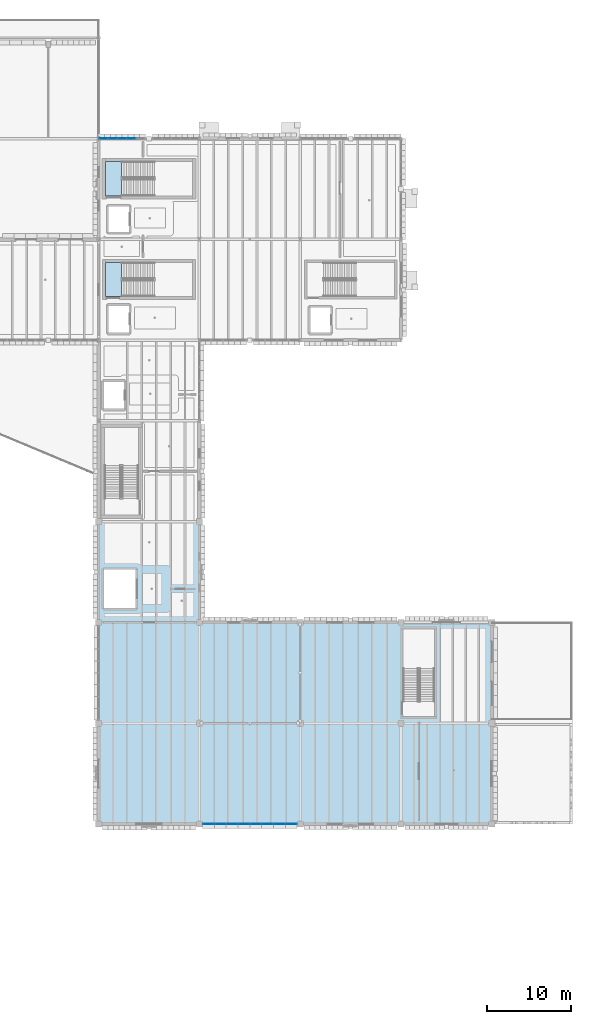
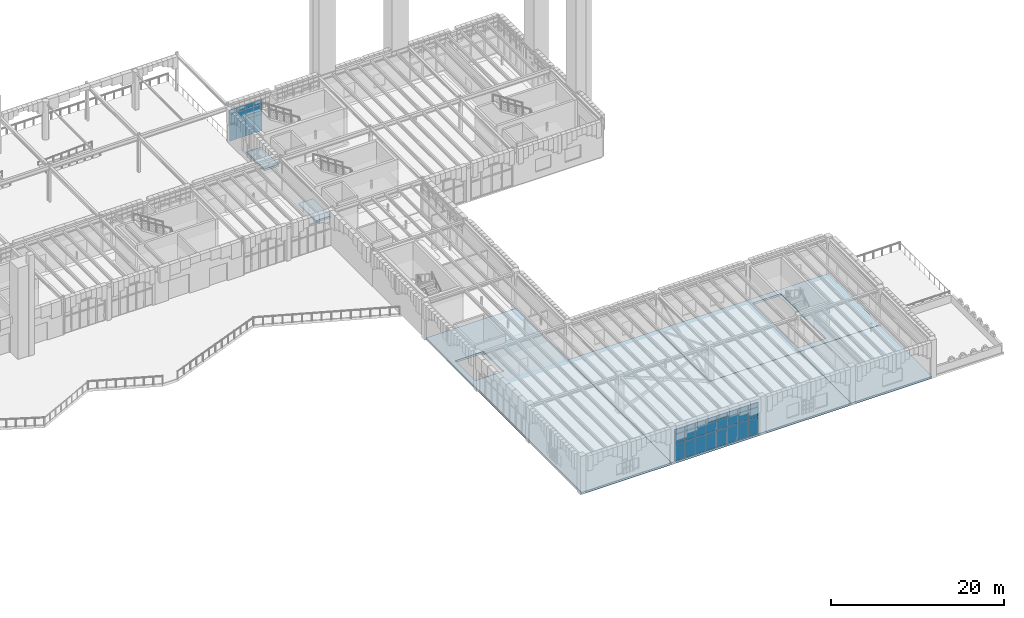
# One storey, part 47 of 103: 36 plates, 6 slabs, 2 elements without a shape of their own.
"""IFC4 building model written with IfcOpenShell, lengths in metres."""

from ifc_helpers import new_model, si_unit, direction, frame, origin, origin_2d, place, context, subcontext, project, spatial, polyline, rectangle, outline, extrude, material, layer, layer_set, type_object, element, aggregate, save


model = new_model("IFC4")

# Units and contexts
model_context = context("Model", 3, precision=1e-05, world=origin(), true_north=direction((0.0, 1.0)))
body_context = subcontext(model_context, "Body", "Model", "MODEL_VIEW")
ifc_project = project(units=[si_unit("LENGTHUNIT", "METRE"), si_unit("AREAUNIT", "SQUARE_METRE"), si_unit("VOLUMEUNIT", "CUBIC_METRE"), si_unit("PLANEANGLEUNIT", "RADIAN"), si_unit("MASSUNIT", "GRAM", prefix="KILO")], contexts=[model_context])

# Site, building, storey
site_placement = place(None, origin())
site = spatial("IfcSite", under=ifc_project, at=site_placement, CompositionType="ELEMENT")
building_placement = place(site_placement, origin())
building = spatial("IfcBuilding", under=site, at=building_placement, Name="Zlatogorsky Bluff Art Gallery", CompositionType="ELEMENT")
storey_placement = place(building_placement, origin())
storey = spatial("IfcBuildingStorey", under=building, at=storey_placement, Name="L00", CompositionType="ELEMENT", Elevation=0.0)

# Curtain wall, plates
ifc_material_1 = material(Name="Anodised Bronze Aluminium and Low-Iron Triple Glazing", Category="aluminium")
ifc_layer_1 = layer(ifc_material_1, 0.179931640625)
ifc_layer_set_1 = layer_set([ifc_layer_1], Name="Curtain Wall CW-03")
curtain_wall_type_1 = type_object("IfcCurtainWallType", Name="Curtain Wall CW-03", PredefinedType="USERDEFINED", material=ifc_layer_set_1)
curtain_wall_1_placement = place(storey_placement, origin())
curtain_wall_1 = element("IfcCurtainWall", 1, at=curtain_wall_1_placement, inside=storey, type_object=curtain_wall_type_1, Name="Unitised curtain wall CW-03 L00 N 10.9-B", ObjectType="CURTAIN WALL", PredefinedType="USERDEFINED")
ifc_material_2 = material(Name="Low-Iron Laminated Triple Glazing", Category="glass")
ifc_layer_2 = layer(ifc_material_2, 0.035888671875)
ifc_layer_set_2 = layer_set([ifc_layer_2], Name="Glazed Curtain Panel CWP-01")
plate_type = type_object("IfcPlateType", Name="Glazed Curtain Panel CWP-01", PredefinedType="CURTAIN_PANEL", material=ifc_layer_set_2)
plate_1_placement = place(storey_placement, frame((123.906005859375, 108.0, 0.06494140625), z_axis=(0.0, 0.0, 1.0), x_axis=(-1.0, 0.0, 0.0)))
plate_1 = element("IfcPlate", 2, at=plate_1_placement, type_object=plate_type, Name="CW-03 panel 2.1", PredefinedType="CURTAIN_PANEL", context=body_context, shape_type="SweptSolid", body=[
    extrude(rectangle(XDim=1.051025390625, YDim=0.035888671875, at=origin_2d()), origin(), (0.0, 0.0, 1.0), 2.3525390625),
])
plate_2_placement = place(storey_placement, frame((123.906005859375, 108.0, 2.482421875), z_axis=(0.0, 0.0, 1.0), x_axis=(-1.0, 0.0, 0.0)))
plate_2 = element("IfcPlate", 3, at=plate_2_placement, type_object=plate_type, Name="CW-03 panel 2.2", PredefinedType="CURTAIN_PANEL", context=body_context, shape_type="SweptSolid", body=[
    extrude(rectangle(XDim=1.051025390625, YDim=0.035888671875, at=origin_2d()), origin(), (0.0, 0.0, 1.0), 1.3349609375),
])
plate_3_placement = place(storey_placement, frame((123.906005859375, 108.0, 3.88232421875), z_axis=(0.0, 0.0, 1.0), x_axis=(-1.0, 0.0, 0.0)))
plate_3 = element("IfcPlate", 4, at=plate_3_placement, type_object=plate_type, Name="CW-03 panel 2.3", PredefinedType="CURTAIN_PANEL", context=body_context, shape_type="SweptSolid", body=[
    extrude(rectangle(XDim=1.051025390625, YDim=0.035888671875, at=origin_2d()), origin(), (0.0, 0.0, 1.0), 0.612548828125),
])
plate_4_placement = place(storey_placement, frame((122.7900390625, 108.0, 0.06494140625), z_axis=(0.0, 0.0, 1.0), x_axis=(-1.0, 0.0, 0.0)))
plate_4 = element("IfcPlate", 5, at=plate_4_placement, type_object=plate_type, Name="CW-03 panel 3.1", PredefinedType="CURTAIN_PANEL", context=body_context, shape_type="SweptSolid", body=[
    extrude(rectangle(XDim=1.051025390625, YDim=0.035888671875, at=origin_2d()), origin(), (0.0, 0.0, 1.0), 2.3525390625),
])
plate_5_placement = place(storey_placement, frame((122.7900390625, 108.0, 2.482421875), z_axis=(0.0, 0.0, 1.0), x_axis=(-1.0, 0.0, 0.0)))
plate_5 = element("IfcPlate", 6, at=plate_5_placement, type_object=plate_type, Name="CW-03 panel 3.2", PredefinedType="CURTAIN_PANEL", context=body_context, shape_type="SweptSolid", body=[
    extrude(rectangle(XDim=1.051025390625, YDim=0.035888671875, at=origin_2d()), origin(), (0.0, 0.0, 1.0), 1.3349609375),
])
plate_6_placement = place(storey_placement, frame((122.7900390625, 108.0, 3.88232421875), z_axis=(0.0, 0.0, 1.0), x_axis=(-1.0, 0.0, 0.0)))
plate_6 = element("IfcPlate", 7, at=plate_6_placement, type_object=plate_type, Name="CW-03 panel 3.3", PredefinedType="CURTAIN_PANEL", context=body_context, shape_type="SweptSolid", body=[
    extrude(rectangle(XDim=1.051025390625, YDim=0.035888671875, at=origin_2d()), origin(), (0.0, 0.0, 1.0), 0.612548828125),
])
plate_7_placement = place(storey_placement, frame((121.674072265625, 108.0, 0.06494140625), z_axis=(0.0, 0.0, 1.0), x_axis=(-1.0, 0.0, 0.0)))
plate_7 = element("IfcPlate", 8, at=plate_7_placement, type_object=plate_type, Name="CW-03 panel 4.1", PredefinedType="CURTAIN_PANEL", context=body_context, shape_type="SweptSolid", body=[
    extrude(rectangle(XDim=1.051025390625, YDim=0.035888671875, at=origin_2d()), origin(), (0.0, 0.0, 1.0), 2.3525390625),
])
plate_8_placement = place(storey_placement, frame((121.674072265625, 108.0, 2.482421875), z_axis=(0.0, 0.0, 1.0), x_axis=(-1.0, 0.0, 0.0)))
plate_8 = element("IfcPlate", 9, at=plate_8_placement, type_object=plate_type, Name="CW-03 panel 4.2", PredefinedType="CURTAIN_PANEL", context=body_context, shape_type="SweptSolid", body=[
    extrude(rectangle(XDim=1.051025390625, YDim=0.035888671875, at=origin_2d()), origin(), (0.0, 0.0, 1.0), 1.3349609375),
])
plate_9_placement = place(storey_placement, frame((121.674072265625, 108.0, 3.88232421875), z_axis=(0.0, 0.0, 1.0), x_axis=(-1.0, 0.0, 0.0)))
plate_9 = element("IfcPlate", 10, at=plate_9_placement, type_object=plate_type, Name="CW-03 panel 4.3", PredefinedType="CURTAIN_PANEL", context=body_context, shape_type="SweptSolid", body=[
    extrude(rectangle(XDim=1.051025390625, YDim=0.035888671875, at=origin_2d()), origin(), (0.0, 0.0, 1.0), 0.612548828125),
])
plate_10_placement = place(storey_placement, frame((120.57421875, 108.0, 0.06494140625), z_axis=(0.0, 0.0, 1.0), x_axis=(-1.0, 0.0, 0.0)))
plate_10 = element("IfcPlate", 11, at=plate_10_placement, type_object=plate_type, Name="CW-03 panel 5.1", PredefinedType="CURTAIN_PANEL", context=body_context, shape_type="SweptSolid", body=[
    extrude(rectangle(XDim=1.0185546875, YDim=0.035888671875, at=origin_2d()), origin(), (0.0, 0.0, 1.0), 2.3525390625),
])
plate_11_placement = place(storey_placement, frame((120.57421875, 108.0, 2.482421875), z_axis=(0.0, 0.0, 1.0), x_axis=(-1.0, 0.0, 0.0)))
plate_11 = element("IfcPlate", 12, at=plate_11_placement, type_object=plate_type, Name="CW-03 panel 5.2", PredefinedType="CURTAIN_PANEL", context=body_context, shape_type="SweptSolid", body=[
    extrude(rectangle(XDim=1.0185546875, YDim=0.035888671875, at=origin_2d()), origin(), (0.0, 0.0, 1.0), 1.3349609375),
])
plate_12_placement = place(storey_placement, frame((120.57421875, 108.0, 3.88232421875), z_axis=(0.0, 0.0, 1.0), x_axis=(-1.0, 0.0, 0.0)))
plate_12 = element("IfcPlate", 13, at=plate_12_placement, type_object=plate_type, Name="CW-03 panel 5.3", PredefinedType="CURTAIN_PANEL", context=body_context, shape_type="SweptSolid", body=[
    extrude(rectangle(XDim=1.0185546875, YDim=0.035888671875, at=origin_2d()), origin(), (0.0, 0.0, 1.0), 0.612548828125),
])
aggregate(curtain_wall_1, [plate_1, plate_2, plate_3, plate_4, plate_5, plate_6, plate_7, plate_8, plate_9, plate_10, plate_11, plate_12])

ifc_layer_3 = layer(ifc_material_1, 0.179931640625)
ifc_layer_set_3 = layer_set([ifc_layer_3], Name="Curtain Wall CW-01")
curtain_wall_type_2 = type_object("IfcCurtainWallType", Name="Curtain Wall CW-01", PredefinedType="USERDEFINED", material=ifc_layer_set_3)
curtain_wall_2_placement = place(storey_placement, origin())
curtain_wall_2 = element("IfcCurtainWall", 14, at=curtain_wall_2_placement, inside=storey, type_object=curtain_wall_type_2, Name="Unitised curtain wall CW-01 L00 S 11.3", ObjectType="CURTAIN WALL", PredefinedType="USERDEFINED")
plate_13_placement = place(storey_placement, frame((133.090087890625, 26.39990234375, 0.06494140625), z_axis=(0.0, 0.0, 1.0), x_axis=(1.0, 0.0, 0.0)))
plate_13 = element("IfcPlate", 15, at=plate_13_placement, type_object=plate_type, Name="CW-01 panel 1.1", PredefinedType="CURTAIN_PANEL", context=body_context, shape_type="SweptSolid", body=[
    extrude(rectangle(XDim=1.31005859375, YDim=0.035888671875, at=origin_2d()), origin(), (0.0, 0.0, 1.0), 2.3525390625),
])
plate_14_placement = place(storey_placement, frame((133.090087890625, 26.39990234375, 2.482421875), z_axis=(0.0, 0.0, 1.0), x_axis=(1.0, 0.0, 0.0)))
plate_14 = element("IfcPlate", 16, at=plate_14_placement, type_object=plate_type, Name="CW-01 panel 1.2", PredefinedType="CURTAIN_PANEL", context=body_context, shape_type="SweptSolid", body=[
    extrude(rectangle(XDim=1.31005859375, YDim=0.035888671875, at=origin_2d()), origin(), (0.0, 0.0, 1.0), 1.3349609375),
])
plate_15_placement = place(storey_placement, frame((133.090087890625, 26.39990234375, 3.88232421875), z_axis=(0.0, 0.0, 1.0), x_axis=(1.0, 0.0, 0.0)))
plate_15 = element("IfcPlate", 17, at=plate_15_placement, type_object=plate_type, Name="CW-01 panel 1.3", PredefinedType="CURTAIN_PANEL", context=body_context, shape_type="SweptSolid", body=[
    extrude(rectangle(XDim=1.31005859375, YDim=0.035888671875, at=origin_2d()), origin(), (0.0, 0.0, 1.0), 0.612548828125),
])
plate_16_placement = place(storey_placement, frame((134.481201171875, 26.39990234375, 0.06494140625), z_axis=(0.0, 0.0, 1.0), x_axis=(1.0, 0.0, 0.0)))
plate_16 = element("IfcPlate", 18, at=plate_16_placement, type_object=plate_type, Name="CW-01 panel 2.1", PredefinedType="CURTAIN_PANEL", context=body_context, shape_type="SweptSolid", body=[
    extrude(rectangle(XDim=1.342529296875, YDim=0.035888671875, at=origin_2d()), origin(), (0.0, 0.0, 1.0), 2.3525390625),
])
plate_17_placement = place(storey_placement, frame((134.481201171875, 26.39990234375, 2.482421875), z_axis=(0.0, 0.0, 1.0), x_axis=(1.0, 0.0, 0.0)))
plate_17 = element("IfcPlate", 19, at=plate_17_placement, type_object=plate_type, Name="CW-01 panel 2.2", PredefinedType="CURTAIN_PANEL", context=body_context, shape_type="SweptSolid", body=[
    extrude(rectangle(XDim=1.342529296875, YDim=0.035888671875, at=origin_2d()), origin(), (0.0, 0.0, 1.0), 1.3349609375),
])
plate_18_placement = place(storey_placement, frame((134.481201171875, 26.39990234375, 3.88232421875), z_axis=(0.0, 0.0, 1.0), x_axis=(1.0, 0.0, 0.0)))
plate_18 = element("IfcPlate", 20, at=plate_18_placement, type_object=plate_type, Name="CW-01 panel 2.3", PredefinedType="CURTAIN_PANEL", context=body_context, shape_type="SweptSolid", body=[
    extrude(rectangle(XDim=1.342529296875, YDim=0.035888671875, at=origin_2d()), origin(), (0.0, 0.0, 1.0), 0.612548828125),
])
plate_19_placement = place(storey_placement, frame((135.888671875, 26.39990234375, 0.06494140625), z_axis=(0.0, 0.0, 1.0), x_axis=(1.0, 0.0, 0.0)))
plate_19 = element("IfcPlate", 21, at=plate_19_placement, type_object=plate_type, Name="CW-01 panel 3.1", PredefinedType="CURTAIN_PANEL", context=body_context, shape_type="SweptSolid", body=[
    extrude(rectangle(XDim=1.342529296875, YDim=0.035888671875, at=origin_2d()), origin(), (0.0, 0.0, 1.0), 2.3525390625),
])
plate_20_placement = place(storey_placement, frame((135.888671875, 26.39990234375, 2.482421875), z_axis=(0.0, 0.0, 1.0), x_axis=(1.0, 0.0, 0.0)))
plate_20 = element("IfcPlate", 22, at=plate_20_placement, type_object=plate_type, Name="CW-01 panel 3.2", PredefinedType="CURTAIN_PANEL", context=body_context, shape_type="SweptSolid", body=[
    extrude(rectangle(XDim=1.342529296875, YDim=0.035888671875, at=origin_2d()), origin(), (0.0, 0.0, 1.0), 1.3349609375),
])
plate_21_placement = place(storey_placement, frame((135.888671875, 26.39990234375, 3.88232421875), z_axis=(0.0, 0.0, 1.0), x_axis=(1.0, 0.0, 0.0)))
plate_21 = element("IfcPlate", 23, at=plate_21_placement, type_object=plate_type, Name="CW-01 panel 3.3", PredefinedType="CURTAIN_PANEL", context=body_context, shape_type="SweptSolid", body=[
    extrude(rectangle(XDim=1.342529296875, YDim=0.035888671875, at=origin_2d()), origin(), (0.0, 0.0, 1.0), 0.612548828125),
])
plate_22_placement = place(storey_placement, frame((137.296142578125, 26.39990234375, 0.06494140625), z_axis=(0.0, 0.0, 1.0), x_axis=(1.0, 0.0, 0.0)))
plate_22 = element("IfcPlate", 24, at=plate_22_placement, type_object=plate_type, Name="CW-01 panel 4.1", PredefinedType="CURTAIN_PANEL", context=body_context, shape_type="SweptSolid", body=[
    extrude(rectangle(XDim=1.342529296875, YDim=0.035888671875, at=origin_2d()), origin(), (0.0, 0.0, 1.0), 2.3525390625),
])
plate_23_placement = place(storey_placement, frame((137.296142578125, 26.39990234375, 2.482421875), z_axis=(0.0, 0.0, 1.0), x_axis=(1.0, 0.0, 0.0)))
plate_23 = element("IfcPlate", 25, at=plate_23_placement, type_object=plate_type, Name="CW-01 panel 4.2", PredefinedType="CURTAIN_PANEL", context=body_context, shape_type="SweptSolid", body=[
    extrude(rectangle(XDim=1.342529296875, YDim=0.035888671875, at=origin_2d()), origin(), (0.0, 0.0, 1.0), 1.3349609375),
])
plate_24_placement = place(storey_placement, frame((137.296142578125, 26.39990234375, 3.88232421875), z_axis=(0.0, 0.0, 1.0), x_axis=(1.0, 0.0, 0.0)))
plate_24 = element("IfcPlate", 26, at=plate_24_placement, type_object=plate_type, Name="CW-01 panel 4.3", PredefinedType="CURTAIN_PANEL", context=body_context, shape_type="SweptSolid", body=[
    extrude(rectangle(XDim=1.342529296875, YDim=0.035888671875, at=origin_2d()), origin(), (0.0, 0.0, 1.0), 0.612548828125),
])
plate_25_placement = place(storey_placement, frame((138.703857421875, 26.39990234375, 0.06494140625), z_axis=(0.0, 0.0, 1.0), x_axis=(1.0, 0.0, 0.0)))
plate_25 = element("IfcPlate", 27, at=plate_25_placement, type_object=plate_type, Name="CW-01 panel 5.1", PredefinedType="CURTAIN_PANEL", context=body_context, shape_type="SweptSolid", body=[
    extrude(rectangle(XDim=1.342529296875, YDim=0.035888671875, at=origin_2d()), origin(), (0.0, 0.0, 1.0), 2.3525390625),
])
plate_26_placement = place(storey_placement, frame((138.703857421875, 26.39990234375, 2.482421875), z_axis=(0.0, 0.0, 1.0), x_axis=(1.0, 0.0, 0.0)))
plate_26 = element("IfcPlate", 28, at=plate_26_placement, type_object=plate_type, Name="CW-01 panel 5.2", PredefinedType="CURTAIN_PANEL", context=body_context, shape_type="SweptSolid", body=[
    extrude(rectangle(XDim=1.342529296875, YDim=0.035888671875, at=origin_2d()), origin(), (0.0, 0.0, 1.0), 1.3349609375),
])
plate_27_placement = place(storey_placement, frame((138.703857421875, 26.39990234375, 3.88232421875), z_axis=(0.0, 0.0, 1.0), x_axis=(1.0, 0.0, 0.0)))
plate_27 = element("IfcPlate", 29, at=plate_27_placement, type_object=plate_type, Name="CW-01 panel 5.3", PredefinedType="CURTAIN_PANEL", context=body_context, shape_type="SweptSolid", body=[
    extrude(rectangle(XDim=1.342529296875, YDim=0.035888671875, at=origin_2d()), origin(), (0.0, 0.0, 1.0), 0.612548828125),
])
plate_28_placement = place(storey_placement, frame((140.111328125, 26.39990234375, 0.06494140625), z_axis=(0.0, 0.0, 1.0), x_axis=(1.0, 0.0, 0.0)))
plate_28 = element("IfcPlate", 30, at=plate_28_placement, type_object=plate_type, Name="CW-01 panel 6.1", PredefinedType="CURTAIN_PANEL", context=body_context, shape_type="SweptSolid", body=[
    extrude(rectangle(XDim=1.342529296875, YDim=0.035888671875, at=origin_2d()), origin(), (0.0, 0.0, 1.0), 2.3525390625),
])
plate_29_placement = place(storey_placement, frame((140.111328125, 26.39990234375, 2.482421875), z_axis=(0.0, 0.0, 1.0), x_axis=(1.0, 0.0, 0.0)))
plate_29 = element("IfcPlate", 31, at=plate_29_placement, type_object=plate_type, Name="CW-01 panel 6.2", PredefinedType="CURTAIN_PANEL", context=body_context, shape_type="SweptSolid", body=[
    extrude(rectangle(XDim=1.342529296875, YDim=0.035888671875, at=origin_2d()), origin(), (0.0, 0.0, 1.0), 1.3349609375),
])
plate_30_placement = place(storey_placement, frame((140.111328125, 26.39990234375, 3.88232421875), z_axis=(0.0, 0.0, 1.0), x_axis=(1.0, 0.0, 0.0)))
plate_30 = element("IfcPlate", 32, at=plate_30_placement, type_object=plate_type, Name="CW-01 panel 6.3", PredefinedType="CURTAIN_PANEL", context=body_context, shape_type="SweptSolid", body=[
    extrude(rectangle(XDim=1.342529296875, YDim=0.035888671875, at=origin_2d()), origin(), (0.0, 0.0, 1.0), 0.612548828125),
])
plate_31_placement = place(storey_placement, frame((141.518798828125, 26.39990234375, 0.06494140625), z_axis=(0.0, 0.0, 1.0), x_axis=(1.0, 0.0, 0.0)))
plate_31 = element("IfcPlate", 33, at=plate_31_placement, type_object=plate_type, Name="CW-01 panel 7.1", PredefinedType="CURTAIN_PANEL", context=body_context, shape_type="SweptSolid", body=[
    extrude(rectangle(XDim=1.342529296875, YDim=0.035888671875, at=origin_2d()), origin(), (0.0, 0.0, 1.0), 2.3525390625),
])
plate_32_placement = place(storey_placement, frame((141.518798828125, 26.39990234375, 2.482421875), z_axis=(0.0, 0.0, 1.0), x_axis=(1.0, 0.0, 0.0)))
plate_32 = element("IfcPlate", 34, at=plate_32_placement, type_object=plate_type, Name="CW-01 panel 7.2", PredefinedType="CURTAIN_PANEL", context=body_context, shape_type="SweptSolid", body=[
    extrude(rectangle(XDim=1.342529296875, YDim=0.035888671875, at=origin_2d()), origin(), (0.0, 0.0, 1.0), 1.3349609375),
])
plate_33_placement = place(storey_placement, frame((141.518798828125, 26.39990234375, 3.88232421875), z_axis=(0.0, 0.0, 1.0), x_axis=(1.0, 0.0, 0.0)))
plate_33 = element("IfcPlate", 35, at=plate_33_placement, type_object=plate_type, Name="CW-01 panel 7.3", PredefinedType="CURTAIN_PANEL", context=body_context, shape_type="SweptSolid", body=[
    extrude(rectangle(XDim=1.342529296875, YDim=0.035888671875, at=origin_2d()), origin(), (0.0, 0.0, 1.0), 0.612548828125),
])
plate_34_placement = place(storey_placement, frame((142.909912109375, 26.39990234375, 0.06494140625), z_axis=(0.0, 0.0, 1.0), x_axis=(1.0, 0.0, 0.0)))
plate_34 = element("IfcPlate", 36, at=plate_34_placement, type_object=plate_type, Name="CW-01 panel 8.1", PredefinedType="CURTAIN_PANEL", context=body_context, shape_type="SweptSolid", body=[
    extrude(rectangle(XDim=1.31005859375, YDim=0.035888671875, at=origin_2d()), origin(), (0.0, 0.0, 1.0), 2.3525390625),
])
plate_35_placement = place(storey_placement, frame((142.909912109375, 26.39990234375, 2.482421875), z_axis=(0.0, 0.0, 1.0), x_axis=(1.0, 0.0, 0.0)))
plate_35 = element("IfcPlate", 37, at=plate_35_placement, type_object=plate_type, Name="CW-01 panel 8.2", PredefinedType="CURTAIN_PANEL", context=body_context, shape_type="SweptSolid", body=[
    extrude(rectangle(XDim=1.31005859375, YDim=0.035888671875, at=origin_2d()), origin(), (0.0, 0.0, 1.0), 1.3349609375),
])
plate_36_placement = place(storey_placement, frame((142.909912109375, 26.39990234375, 3.88232421875), z_axis=(0.0, 0.0, 1.0), x_axis=(1.0, 0.0, 0.0)))
plate_36 = element("IfcPlate", 38, at=plate_36_placement, type_object=plate_type, Name="CW-01 panel 8.3", PredefinedType="CURTAIN_PANEL", context=body_context, shape_type="SweptSolid", body=[
    extrude(rectangle(XDim=1.31005859375, YDim=0.035888671875, at=origin_2d()), origin(), (0.0, 0.0, 1.0), 0.612548828125),
])
aggregate(curtain_wall_2, [plate_13, plate_14, plate_15, plate_16, plate_17, plate_18, plate_19, plate_20, plate_21, plate_22, plate_23, plate_24, plate_25, plate_26, plate_27, plate_28, plate_29, plate_30, plate_31, plate_32, plate_33, plate_34, plate_35, plate_36])

# Slabs
ifc_material_3 = material(Name="Concrete C30/37", Category="concrete")
ifc_layer_4 = layer(ifc_material_3, 0.280029296875)
ifc_layer_set_4 = layer_set([ifc_layer_4], Name="Slab SL-00 280mm")
slab_type = type_object("IfcSlabType", Name="Slab SL-00 280mm", PredefinedType="FLOOR", material=ifc_layer_set_4)
slab_1_placement = place(storey_placement, frame((0.0, 0.0, -0.280029296875)))
element("IfcSlab", 39, at=slab_1_placement, inside=storey, type_object=slab_type, Name="L00 structural floor slab panel 14", PredefinedType="FLOOR", context=body_context, shape_type="SweptSolid", body=[
    extrude(outline(polyline([(120.0, 26.39990234375), (120.0, 38.39990234375), (120.0, 50.39990234375), (120.0, 62.39990234375), (132.0, 62.39990234375), (132.0, 50.39990234375), (132.0, 38.39990234375), (132.0, 26.39990234375), (120.0, 26.39990234375)]), holes=[polyline([(124.419921875, 56.699951171875), (120.6201171875, 56.699951171875), (120.6201171875, 52.10009765625), (124.419921875, 52.10009765625), (124.419921875, 56.699951171875)])]), origin(), (0.0, 0.0, 1.0), 0.280029296875),
])
slab_2_placement = place(storey_placement, frame((0.0, 0.0, -0.280029296875)))
element("IfcSlab", 40, at=slab_2_placement, inside=storey, type_object=slab_type, Name="L00 structural floor slab panel 17", PredefinedType="FLOOR", context=body_context, shape_type="SweptSolid", body=[
    extrude(outline(polyline([(132.0, 38.39990234375), (132.0, 50.39990234375), (144.0, 50.39990234375), (144.0, 38.39990234375), (156.0, 38.39990234375), (156.0, 26.39990234375), (144.0, 26.39990234375), (132.0, 26.39990234375), (132.0, 38.39990234375)])), origin(), (0.0, 0.0, 1.0), 0.280029296875),
])
slab_3_placement = place(storey_placement, frame((0.0, 0.0, -0.280029296875)))
element("IfcSlab", 41, at=slab_3_placement, inside=storey, type_object=slab_type, Name="L00 structural floor slab panel 19", PredefinedType="FLOOR", context=body_context, shape_type="SweptSolid", body=[
    extrude(outline(polyline([(144.0, 50.39990234375), (156.0, 50.39990234375), (166.800048828125, 50.39990234375), (166.800048828125, 38.39990234375), (156.0, 38.39990234375), (144.0, 38.39990234375), (144.0, 50.39990234375)]), holes=[polyline([(160.0, 49.60009765625), (156.25, 49.60009765625), (156.25, 39.199951171875), (160.0, 39.199951171875), (160.0, 49.60009765625)])]), origin(), (0.0, 0.0, 1.0), 0.280029296875),
])
slab_4_placement = place(storey_placement, frame((0.0, 0.0, -0.280029296875)))
element("IfcSlab", 42, at=slab_4_placement, inside=storey, type_object=slab_type, Name="L00 structural floor slab panel 20", PredefinedType="FLOOR", context=body_context, shape_type="SweptSolid", body=[
    extrude(outline(polyline([(156.0, 26.39990234375), (156.0, 38.39990234375), (166.800048828125, 38.39990234375), (166.800048828125, 26.39990234375), (156.0, 26.39990234375)])), origin(), (0.0, 0.0, 1.0), 0.280029296875),
])
slab_5_placement = place(storey_placement, frame((0.0, 0.0, -0.280029296875)))
element("IfcSlab", 43, at=slab_5_placement, inside=storey, type_object=slab_type, Name="L00 stair ST-02 structural floor landing slab", PredefinedType="FLOOR", context=body_context, shape_type="SweptSolid", body=[
    extrude(outline(polyline([(120.800048828125, 89.199951171875), (122.75, 89.199951171875), (122.75, 93.25), (120.800048828125, 93.25), (120.800048828125, 89.199951171875)])), origin(), (0.0, 0.0, 1.0), 0.280029296875),
])
slab_6_placement = place(storey_placement, frame((0.0, 0.0, -0.280029296875)))
element("IfcSlab", 44, at=slab_6_placement, inside=storey, type_object=slab_type, Name="L00 stair ST-03 structural floor landing slab", PredefinedType="FLOOR", context=body_context, shape_type="SweptSolid", body=[
    extrude(outline(polyline([(120.800048828125, 101.199951171875), (122.75, 101.199951171875), (122.75, 105.25), (120.800048828125, 105.25), (120.800048828125, 101.199951171875)])), origin(), (0.0, 0.0, 1.0), 0.280029296875),
])

save(model, "model.ifc")
